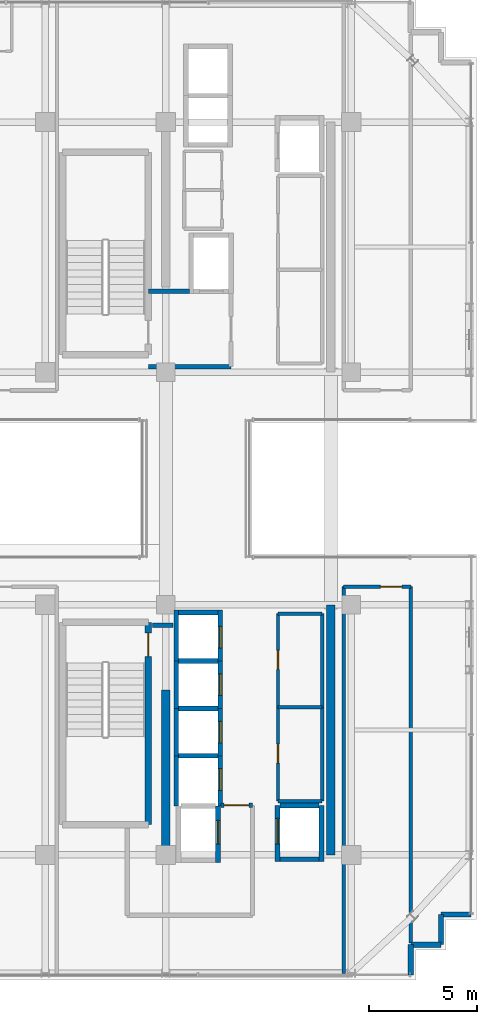
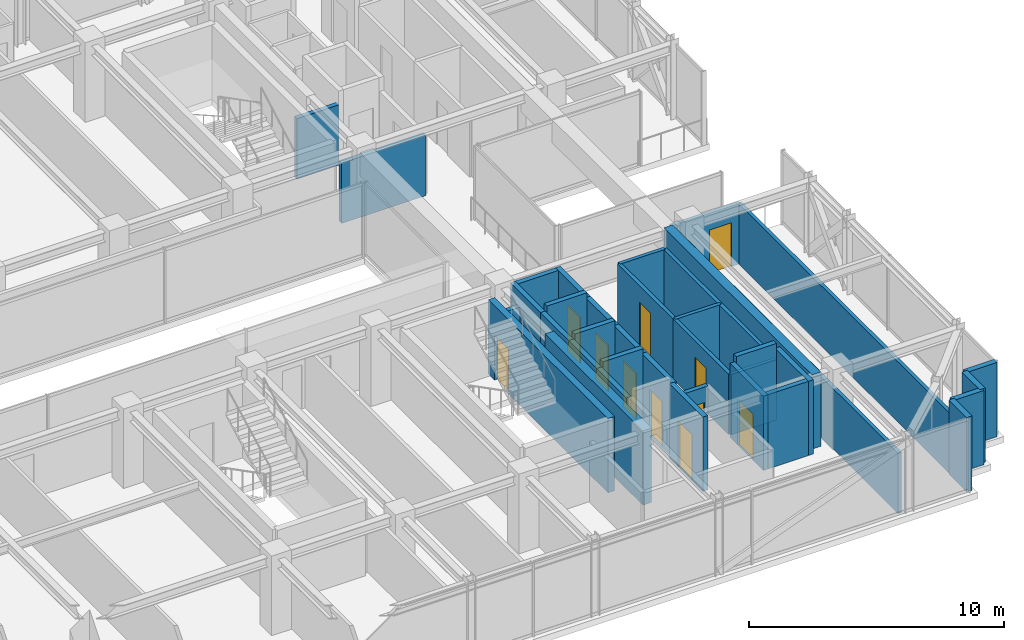
# One storey, part 34 of 40: 38 walls, 11 doors, 11 openings.
"""IFC4 building model written with IfcOpenShell, lengths in metres."""

from ifc_helpers import new_model, si_unit, direction, frame, frame_2d, origin, place, context, subcontext, project, spatial, rectangle, extrude, source, transform, mapped, material, layer, layer_set, type_object, element, fill, save


model = new_model("IFC4")

# Units and contexts
model_context = context("Model", 3, precision=1e-05, world=origin(), true_north=direction((0.0, 1.0)))
body_context = subcontext(model_context, "Body", "Model", "MODEL_VIEW")
ifc_project = project(units=[si_unit("LENGTHUNIT", "METRE"), si_unit("AREAUNIT", "SQUARE_METRE"), si_unit("VOLUMEUNIT", "CUBIC_METRE"), si_unit("PLANEANGLEUNIT", "RADIAN"), si_unit("MASSUNIT", "GRAM", prefix="KILO")], contexts=[model_context])

# Site, building, storey
site_placement = place(None, origin())
site = spatial("IfcSite", under=ifc_project, at=site_placement, CompositionType="ELEMENT")
building_placement = place(site_placement, origin())
building = spatial("IfcBuilding", under=site, at=building_placement, Name="Nahalor Promenade Grand Hotel", CompositionType="ELEMENT")
storey_placement = place(building_placement, frame((0.0, 0.0, 288.800048828125)))
storey = spatial("IfcBuildingStorey", under=building, at=storey_placement, Name="L74", CompositionType="ELEMENT", Elevation=288.800048828125)

# Walls
ifc_material_1 = material(Name="Concrete B-50 (C40/50)", Category="concrete")
ifc_layer_1 = layer(ifc_material_1, 0.39990234375)
ifc_layer_set_1 = layer_set([ifc_layer_1], Name="Concrete B-50 (C40/50)")
wall_type_1 = type_object("IfcWallType", Name="Wall-CoreShear-400", PredefinedType="SHEAR", material=ifc_layer_set_1)
shared_shape_1 = source(origin(), body_context, "Body", "SweptSolid", [
    extrude(rectangle(XDim=7.64990234375, YDim=0.39990234375, at=frame_2d((3.824951171875, 0.0))), origin(), (0.0, 0.0, 1.0), 3.550048828125),
])
wall_1_placement = place(storey_placement, frame((8.39990234375, -17.0, 0.0), z_axis=(0.0, 0.0, 1.0), x_axis=(0.0, 1.0, 0.0)))
element("IfcWall", 1, at=wall_1_placement, inside=storey, type_object=wall_type_1, Name="CWALL-L74-SW", PredefinedType="SHEAR", context=body_context, shape_type="MappedRepresentation", body=[
    mapped(shared_shape_1, transform((0.0, 0.0, 0.0), scale=1.0)),
])
shared_shape_2 = source(origin(), body_context, "Body", "SweptSolid", [
    extrude(rectangle(XDim=11.60009765625, YDim=0.39990234375, at=frame_2d((5.800048828125, 0.0))), origin(), (0.0, 0.0, 1.0), 3.550048828125),
])
wall_2_placement = place(storey_placement, frame((16.050048828125, -17.0, 0.0), z_axis=(0.0, 0.0, 1.0), x_axis=(0.0, 1.0, 0.0)))
element("IfcWall", 2, at=wall_2_placement, inside=storey, type_object=wall_type_1, Name="CWALL-L74-SE", PredefinedType="SHEAR", context=body_context, shape_type="MappedRepresentation", body=[
    mapped(shared_shape_2, transform((0.0, 0.0, 0.0), scale=1.0)),
])

# Wall, opening, door
ifc_layer_2 = layer(ifc_material_1, 0.300048828125)
ifc_layer_set_2 = layer_set([ifc_layer_2], Name="Concrete B-50 (C40/50)")
wall_type_2 = type_object("IfcWallType", Name="Wall-ShaftShear-300", PredefinedType="SHEAR", material=ifc_layer_set_2)
shared_shape_3 = source(origin(), body_context, "Body", "SweptSolid", [
    extrude(rectangle(XDim=9.380126953125, YDim=0.300048828125, at=frame_2d((4.68994140625, 0.0))), origin(), (0.0, 0.0, 1.0), 3.550048828125),
])
wall_3_placement = place(storey_placement, frame((7.590087890625, -15.590087890625, 0.0), z_axis=(0.0, 0.0, 1.0), x_axis=(0.0, 1.0, 0.0)))
wall_3 = element("IfcWall", 3, at=wall_3_placement, inside=storey, type_object=wall_type_2, Name="L74 Exit Stair ST2 Shaft Wall E", PredefinedType="SHEAR", context=body_context, shape_type="MappedRepresentation", body=[
    mapped(shared_shape_3, transform((0.0, 0.0, 0.0), scale=1.0)),
])
opening_1_placement = place(wall_3_placement, frame((7.7900390625, 0.0, 0.0)))
opening_1 = element("IfcOpeningElement", 4, at=opening_1_placement, cuts=wall_3, Name="Opening D-ST1", PredefinedType="OPENING", context=body_context, shape_type="SweptSolid", body=[
    extrude(rectangle(XDim=1.10009765625, YDim=2.14990234375, at=frame_2d((0.550048828125, 1.074951171875))), frame((0.0, 0.159912109375, 0.0), z_axis=(0.0, -1.0, 0.0), x_axis=(1.0, 0.0, 0.0)), (0.0, 0.0, 1.0), 0.320068359375),
])
ifc_material_2 = material(Name="Steel S355JR", Category="steel")
door_type_1 = type_object("IfcDoorType", Name="Door-StairFire-1100", OperationType="NOTDEFINED", PredefinedType="DOOR", material=ifc_material_2)
shared_shape_4 = source(origin(), body_context, "Body", "SweptSolid", [
    extrude(rectangle(XDim=1.10009765625, YDim=2.14990234375, at=frame_2d((0.550048828125, 1.074951171875))), frame((0.0, 0.02490234375, 0.0), z_axis=(0.0, -1.0, 0.0), x_axis=(1.0, 0.0, 0.0)), (0.0, 0.0, 1.0), 0.050048828125),
])
door_1_placement = place(opening_1_placement, origin())
door_1 = element("IfcDoor", 5, at=door_1_placement, inside=storey, type_object=door_type_1, Name="DR-STAIR-ST2-L74", OperationType="SINGLE_SWING_LEFT", OverallHeight=2.14990234375, OverallWidth=1.10009765625, PredefinedType="DOOR", context=body_context, shape_type="MappedRepresentation", body=[
    mapped(shared_shape_4, transform((0.0, 0.0, 0.0), scale=1.0)),
])
fill(opening_1, door_1)

# Wall
ifc_layer_3 = layer(ifc_material_1, 0.219970703125)
ifc_layer_set_3 = layer_set([ifc_layer_3], Name="Concrete B-50 (C40/50)")
wall_type_3 = type_object("IfcWallType", Name="Wall-LiftShaft-220", PredefinedType="SHEAR", material=ifc_layer_set_3)
shared_shape_5 = source(origin(), body_context, "Body", "SweptSolid", [
    extrude(rectangle(XDim=2.360107421875, YDim=0.219970703125, at=frame_2d((1.18017578125, 0.0))), origin(), (0.0, 0.0, 1.0), 3.550048828125),
])
wall_4_placement = place(storey_placement, frame((8.8798828125, -8.0, 0.0), z_axis=(0.0, 0.0, 1.0), x_axis=(0.0, 1.0, 0.0)))
element("IfcWall", 6, at=wall_4_placement, inside=storey, type_object=wall_type_3, Name="L74 Lift PL9 Hoistway Wall W", PredefinedType="SHEAR", context=body_context, shape_type="MappedRepresentation", body=[
    mapped(shared_shape_5, transform((0.0, 0.0, 0.0), scale=1.0)),
])

# Wall, opening, door
wall_5_placement = place(storey_placement, frame((10.919921875, -8.0, 0.0), z_axis=(0.0, 0.0, 1.0), x_axis=(0.0, 1.0, 0.0)))
wall_5 = element("IfcWall", 7, at=wall_5_placement, inside=storey, type_object=wall_type_3, Name="L74 Lift PL9 Hoistway Wall E", PredefinedType="SHEAR", context=body_context, shape_type="MappedRepresentation", body=[
    mapped(shared_shape_5, transform((0.0, 0.0, 0.0), scale=1.0)),
])
opening_2_placement = place(wall_5_placement, frame((0.60009765625, 0.0, 0.0)))
opening_2 = element("IfcOpeningElement", 8, at=opening_2_placement, cuts=wall_5, Name="Opening LD-01", PredefinedType="OPENING", context=body_context, shape_type="SweptSolid", body=[
    extrude(rectangle(XDim=1.0, YDim=2.199951171875, at=frame_2d((0.5, 1.10009765625))), frame((0.0, 0.119873046875, 0.0), z_axis=(0.0, -1.0, 0.0), x_axis=(1.0, 0.0, 0.0)), (0.0, 0.0, 1.0), 0.239990234375),
])
door_type_2 = type_object("IfcDoorType", Name="Door-LiftLanding-1000", OperationType="DOUBLE_DOOR_SLIDING", PredefinedType="DOOR", material=ifc_material_2)
shared_shape_6 = source(origin(), body_context, "Body", "SweptSolid", [
    extrude(rectangle(XDim=1.0, YDim=2.199951171875, at=frame_2d((0.5, 1.10009765625))), frame((0.0, 0.02490234375, 0.0), z_axis=(0.0, -1.0, 0.0), x_axis=(1.0, 0.0, 0.0)), (0.0, 0.0, 1.0), 0.050048828125),
])
door_2_placement = place(opening_2_placement, frame((1.0, 0.0, 0.0), z_axis=(0.0, 0.0, 1.0), x_axis=(-1.0, 0.0, 0.0)))
door_2 = element("IfcDoor", 9, at=door_2_placement, inside=storey, type_object=door_type_2, Name="DR-LIFT-PL9-L74", OperationType="DOUBLE_DOOR_SLIDING", OverallHeight=2.199951171875, OverallWidth=1.0, PredefinedType="DOOR", context=body_context, shape_type="MappedRepresentation", body=[
    mapped(shared_shape_6, transform((0.0, 0.0, 0.0), scale=1.0)),
])
fill(opening_2, door_2)

# Walls
shared_shape_7 = source(origin(), body_context, "Body", "SweptSolid", [
    extrude(rectangle(XDim=1.820068359375, YDim=0.219970703125, at=frame_2d((0.91015625, 0.0))), origin(), (0.0, 0.0, 1.0), 3.550048828125),
])
for number, where, z_axis, x_axis, name in (
    (10, (8.989990234375, -5.75, 0.0), (0.0, 0.0, 1.0), (1.0, 0.0, 0.0), "L74 Lift PL9 Hoistway Wall N"),
    (11, (13.68994140625, -17.199951171875, 0.0), (0.0, 0.0, 1.0), (1.0, 0.0, 0.0), "L74 Lift SV2 Hoistway Wall S"),
):
    element("IfcWall", number, at=place(storey_placement, frame(where, z_axis=z_axis, x_axis=x_axis)), inside=storey, type_object=wall_type_3, Name=name, PredefinedType="SHEAR", context=body_context, shape_type="MappedRepresentation", body=[
        mapped(shared_shape_7, transform((0.0, 0.0, 0.0), scale=1.0)),
    ])
shared_shape_8 = source(origin(), body_context, "Body", "SweptSolid", [
    extrude(rectangle(XDim=2.199951171875, YDim=0.219970703125, at=frame_2d((1.10009765625, 0.0))), origin(), (0.0, 0.0, 1.0), 3.550048828125),
])
wall_6_placement = place(storey_placement, frame((8.8798828125, -10.199951171875, 0.0), z_axis=(0.0, 0.0, 1.0), x_axis=(0.0, 1.0, 0.0)))
element("IfcWall", 12, at=wall_6_placement, inside=storey, type_object=wall_type_3, Name="L74 Lift PL10 Hoistway Wall W", PredefinedType="SHEAR", context=body_context, shape_type="MappedRepresentation", body=[
    mapped(shared_shape_8, transform((0.0, 0.0, 0.0), scale=1.0)),
])

# Wall, opening, door
wall_7_placement = place(storey_placement, frame((10.919921875, -10.199951171875, 0.0), z_axis=(0.0, 0.0, 1.0), x_axis=(0.0, 1.0, 0.0)))
wall_7 = element("IfcWall", 13, at=wall_7_placement, inside=storey, type_object=wall_type_3, Name="L74 Lift PL10 Hoistway Wall E", PredefinedType="SHEAR", context=body_context, shape_type="MappedRepresentation", body=[
    mapped(shared_shape_8, transform((0.0, 0.0, 0.0), scale=1.0)),
])
opening_3_placement = place(wall_7_placement, frame((0.60009765625, 0.0, 0.0)))
opening_3 = element("IfcOpeningElement", 14, at=opening_3_placement, cuts=wall_7, Name="Opening LD-01", PredefinedType="OPENING", context=body_context, shape_type="SweptSolid", body=[
    extrude(rectangle(XDim=1.0, YDim=2.199951171875, at=frame_2d((0.5, 1.10009765625))), frame((0.0, 0.119873046875, 0.0), z_axis=(0.0, -1.0, 0.0), x_axis=(1.0, 0.0, 0.0)), (0.0, 0.0, 1.0), 0.239990234375),
])
door_3_placement = place(opening_3_placement, frame((1.0, 0.0, 0.0), z_axis=(0.0, 0.0, 1.0), x_axis=(-1.0, 0.0, 0.0)))
door_3 = element("IfcDoor", 15, at=door_3_placement, inside=storey, type_object=door_type_2, Name="DR-LIFT-PL10-L74", OperationType="DOUBLE_DOOR_SLIDING", OverallHeight=2.199951171875, OverallWidth=1.0, PredefinedType="DOOR", context=body_context, shape_type="MappedRepresentation", body=[
    mapped(shared_shape_6, transform((0.0, 0.0, 0.0), scale=1.0)),
])
fill(opening_3, door_3)

# Wall
wall_8_placement = place(storey_placement, frame((8.8798828125, -12.39990234375, 0.0), z_axis=(0.0, 0.0, 1.0), x_axis=(0.0, 1.0, 0.0)))
element("IfcWall", 16, at=wall_8_placement, inside=storey, type_object=wall_type_3, Name="L74 Lift PL11 Hoistway Wall W", PredefinedType="SHEAR", context=body_context, shape_type="MappedRepresentation", body=[
    mapped(shared_shape_8, transform((0.0, 0.0, 0.0), scale=1.0)),
])

# Wall, opening, door
wall_9_placement = place(storey_placement, frame((10.919921875, -12.39990234375, 0.0), z_axis=(0.0, 0.0, 1.0), x_axis=(0.0, 1.0, 0.0)))
wall_9 = element("IfcWall", 17, at=wall_9_placement, inside=storey, type_object=wall_type_3, Name="L74 Lift PL11 Hoistway Wall E", PredefinedType="SHEAR", context=body_context, shape_type="MappedRepresentation", body=[
    mapped(shared_shape_8, transform((0.0, 0.0, 0.0), scale=1.0)),
])
opening_4_placement = place(wall_9_placement, frame((0.60009765625, 0.0, 0.0)))
opening_4 = element("IfcOpeningElement", 18, at=opening_4_placement, cuts=wall_9, Name="Opening LD-01", PredefinedType="OPENING", context=body_context, shape_type="SweptSolid", body=[
    extrude(rectangle(XDim=1.0, YDim=2.199951171875, at=frame_2d((0.5, 1.10009765625))), frame((0.0, 0.119873046875, 0.0), z_axis=(0.0, -1.0, 0.0), x_axis=(1.0, 0.0, 0.0)), (0.0, 0.0, 1.0), 0.239990234375),
])
door_4_placement = place(opening_4_placement, frame((1.0, 0.0, 0.0), z_axis=(0.0, 0.0, 1.0), x_axis=(-1.0, 0.0, 0.0)))
door_4 = element("IfcDoor", 19, at=door_4_placement, inside=storey, type_object=door_type_2, Name="DR-LIFT-PL11-L74", OperationType="DOUBLE_DOOR_SLIDING", OverallHeight=2.199951171875, OverallWidth=1.0, PredefinedType="DOOR", context=body_context, shape_type="MappedRepresentation", body=[
    mapped(shared_shape_6, transform((0.0, 0.0, 0.0), scale=1.0)),
])
fill(opening_4, door_4)

# Walls
shared_shape_9 = source(origin(), body_context, "Body", "SweptSolid", [
    extrude(rectangle(XDim=1.820068359375, YDim=0.219970703125, at=frame_2d((0.91015625, 0.0))), origin(), (0.0, 0.0, 1.0), 3.849853515625),
])
for number, where, z_axis, x_axis, name in (
    (20, (8.989990234375, -8.0, 0.0), (0.0, 0.0, 1.0), (1.0, 0.0, 0.0), "L74 Lift PL10 Hoistway Wall N"),
    (21, (8.989990234375, -10.199951171875, 0.0), (0.0, 0.0, 1.0), (1.0, 0.0, 0.0), "L74 Lift PL11 Hoistway Wall N"),
    (22, (8.989990234375, -12.39990234375, 0.0), (0.0, 0.0, 1.0), (1.0, 0.0, 0.0), "L74 Lift PL12 Hoistway Wall N"),
    (23, (13.68994140625, -14.699951171875, 0.0), (0.0, 0.0, 1.0), (1.0, 0.0, 0.0), "L74 Lift SV2 Hoistway Wall N"),
):
    element("IfcWall", number, at=place(storey_placement, frame(where, z_axis=z_axis, x_axis=x_axis)), inside=storey, type_object=wall_type_3, Name=name, PredefinedType="SHEAR", context=body_context, shape_type="MappedRepresentation", body=[
        mapped(shared_shape_9, transform((0.0, 0.0, 0.0), scale=1.0)),
    ])
shared_shape_10 = source(origin(), body_context, "Body", "SweptSolid", [
    extrude(rectangle(XDim=2.3251953125, YDim=0.219970703125, at=frame_2d((1.16259765625, 0.0))), origin(), (0.0, 0.0, 1.0), 3.550048828125),
])
wall_10_placement = place(storey_placement, frame((8.8798828125, -14.72509765625, 0.0), z_axis=(0.0, 0.0, 1.0), x_axis=(0.0, 1.0, 0.0)))
element("IfcWall", 24, at=wall_10_placement, inside=storey, type_object=wall_type_3, Name="L74 Lift PL12 Hoistway Wall W", PredefinedType="SHEAR", context=body_context, shape_type="MappedRepresentation", body=[
    mapped(shared_shape_10, transform((0.0, 0.0, 0.0), scale=1.0)),
])

# Wall, opening, door
wall_11_placement = place(storey_placement, frame((10.919921875, -14.72509765625, 0.0), z_axis=(0.0, 0.0, 1.0), x_axis=(0.0, 1.0, 0.0)))
wall_11 = element("IfcWall", 25, at=wall_11_placement, inside=storey, type_object=wall_type_3, Name="L74 Lift PL12 Hoistway Wall E", PredefinedType="SHEAR", context=body_context, shape_type="MappedRepresentation", body=[
    mapped(shared_shape_10, transform((0.0, 0.0, 0.0), scale=1.0)),
])
opening_5_placement = place(wall_11_placement, frame((0.72509765625, 0.0, 0.0)))
opening_5 = element("IfcOpeningElement", 26, at=opening_5_placement, cuts=wall_11, Name="Opening LD-01", PredefinedType="OPENING", context=body_context, shape_type="SweptSolid", body=[
    extrude(rectangle(XDim=1.0, YDim=2.199951171875, at=frame_2d((0.5, 1.10009765625))), frame((0.0, 0.119873046875, 0.0), z_axis=(0.0, -1.0, 0.0), x_axis=(1.0, 0.0, 0.0)), (0.0, 0.0, 1.0), 0.239990234375),
])
door_5_placement = place(opening_5_placement, frame((1.0, 0.0, 0.0), z_axis=(0.0, 0.0, 1.0), x_axis=(-1.0, 0.0, 0.0)))
door_5 = element("IfcDoor", 27, at=door_5_placement, inside=storey, type_object=door_type_2, Name="DR-LIFT-PL12-L74", OperationType="DOUBLE_DOOR_SLIDING", OverallHeight=2.199951171875, OverallWidth=1.0, PredefinedType="DOOR", context=body_context, shape_type="MappedRepresentation", body=[
    mapped(shared_shape_6, transform((0.0, 0.0, 0.0), scale=1.0)),
])
fill(opening_5, door_5)

shared_shape_11 = source(origin(), body_context, "Body", "SweptSolid", [
    extrude(rectangle(XDim=2.635009765625, YDim=0.219970703125, at=frame_2d((1.3173828125, 0.0))), origin(), (0.0, 0.0, 1.0), 3.550048828125),
])
wall_12_placement = place(storey_placement, frame((10.820068359375, -17.360107421875, 0.0), z_axis=(0.0, 0.0, 1.0), x_axis=(0.0, 1.0, 0.0)))
wall_12 = element("IfcWall", 28, at=wall_12_placement, inside=storey, type_object=wall_type_3, Name="L74 Lift FL2 Hoistway Wall E", PredefinedType="SHEAR", context=body_context, shape_type="MappedRepresentation", body=[
    mapped(shared_shape_11, transform((0.0, 0.0, 0.0), scale=1.0)),
])
opening_6_placement = place(wall_12_placement, frame((0.860107421875, 0.0, 0.0)))
opening_6 = element("IfcOpeningElement", 29, at=opening_6_placement, cuts=wall_12, Name="Opening LD-02", PredefinedType="OPENING", context=body_context, shape_type="SweptSolid", body=[
    extrude(rectangle(XDim=1.10009765625, YDim=2.199951171875, at=frame_2d((0.550048828125, 1.10009765625))), frame((0.0, 0.119873046875, 0.0), z_axis=(0.0, -1.0, 0.0), x_axis=(1.0, 0.0, 0.0)), (0.0, 0.0, 1.0), 0.239990234375),
])
door_type_3 = type_object("IfcDoorType", Name="Door-LiftFF-1100", OperationType="DOUBLE_DOOR_SLIDING", PredefinedType="DOOR", material=ifc_material_2)
shared_shape_12 = source(origin(), body_context, "Body", "SweptSolid", [
    extrude(rectangle(XDim=1.10009765625, YDim=2.199951171875, at=frame_2d((0.550048828125, 1.10009765625))), frame((0.0, 0.02490234375, 0.0), z_axis=(0.0, -1.0, 0.0), x_axis=(1.0, 0.0, 0.0)), (0.0, 0.0, 1.0), 0.050048828125),
])
door_6_placement = place(opening_6_placement, frame((1.10009765625, 0.0, 0.0), z_axis=(0.0, 0.0, 1.0), x_axis=(-1.0, 0.0, 0.0)))
door_6 = element("IfcDoor", 30, at=door_6_placement, inside=storey, type_object=door_type_3, Name="DR-LIFT-FL2-L74", OperationType="DOUBLE_DOOR_SLIDING", OverallHeight=2.199951171875, OverallWidth=1.10009765625, PredefinedType="DOOR", context=body_context, shape_type="MappedRepresentation", body=[
    mapped(shared_shape_12, transform((0.0, 0.0, 0.0), scale=1.0)),
])
fill(opening_6, door_6)

shared_shape_13 = source(origin(), body_context, "Body", "SweptSolid", [
    extrude(rectangle(XDim=2.610107421875, YDim=0.219970703125, at=frame_2d((1.30517578125, 0.0))), origin(), (0.0, 0.0, 1.0), 3.550048828125),
])
wall_13_placement = place(storey_placement, frame((13.580078125, -17.31005859375, 0.0), z_axis=(0.0, 0.0, 1.0), x_axis=(0.0, 1.0, 0.0)))
wall_13 = element("IfcWall", 31, at=wall_13_placement, inside=storey, type_object=wall_type_3, Name="L74 Lift SV2 Hoistway Wall W", PredefinedType="SHEAR", context=body_context, shape_type="MappedRepresentation", body=[
    mapped(shared_shape_13, transform((0.0, 0.0, 0.0), scale=1.0)),
])
opening_7_placement = place(wall_13_placement, frame((0.81005859375, 0.0, 0.0)))
opening_7 = element("IfcOpeningElement", 32, at=opening_7_placement, cuts=wall_13, Name="Opening LD-03", PredefinedType="OPENING", context=body_context, shape_type="SweptSolid", body=[
    extrude(rectangle(XDim=1.199951171875, YDim=2.199951171875, at=frame_2d((0.60009765625, 1.10009765625))), frame((0.0, 0.119873046875, 0.0), z_axis=(0.0, -1.0, 0.0), x_axis=(1.0, 0.0, 0.0)), (0.0, 0.0, 1.0), 0.239990234375),
])
door_type_4 = type_object("IfcDoorType", Name="Door-LiftService-1200", OperationType="DOUBLE_DOOR_SLIDING", PredefinedType="DOOR", material=ifc_material_2)
shared_shape_14 = source(origin(), body_context, "Body", "SweptSolid", [
    extrude(rectangle(XDim=1.199951171875, YDim=2.199951171875, at=frame_2d((0.60009765625, 1.10009765625))), frame((0.0, 0.02490234375, 0.0), z_axis=(0.0, -1.0, 0.0), x_axis=(1.0, 0.0, 0.0)), (0.0, 0.0, 1.0), 0.050048828125),
])
door_7_placement = place(opening_7_placement, origin())
door_7 = element("IfcDoor", 33, at=door_7_placement, inside=storey, type_object=door_type_4, Name="DR-LIFT-SV2-L74", OperationType="DOUBLE_DOOR_SLIDING", OverallHeight=2.199951171875, OverallWidth=1.199951171875, PredefinedType="DOOR", context=body_context, shape_type="MappedRepresentation", body=[
    mapped(shared_shape_14, transform((0.0, 0.0, 0.0), scale=1.0)),
])
fill(opening_7, door_7)

# Walls
wall_14_placement = place(storey_placement, frame((15.6201171875, -17.31005859375, 0.0), z_axis=(0.0, 0.0, 1.0), x_axis=(0.0, 1.0, 0.0)))
element("IfcWall", 34, at=wall_14_placement, inside=storey, type_object=wall_type_3, Name="L74 Lift SV2 Hoistway Wall E", PredefinedType="SHEAR", context=body_context, shape_type="MappedRepresentation", body=[
    mapped(shared_shape_13, transform((0.0, 0.0, 0.0), scale=1.0)),
])
ifc_material_3 = material(Name="Concrete B-40 (C32/40)", Category="concrete")
ifc_layer_4 = layer(ifc_material_3, 0.25)
ifc_layer_set_4 = layer_set([ifc_layer_4], Name="Concrete B-40 (C32/40)")
wall_type_4 = type_object("IfcWallType", Name="Wall-BronzePier-250", PredefinedType="STANDARD", material=ifc_layer_set_4)
shared_shape_15 = source(origin(), body_context, "Body", "SweptSolid", [
    extrude(rectangle(XDim=1.400146484375, YDim=0.25, at=frame_2d((0.7001953125, 0.0))), origin(), (0.0, 0.0, 1.0), 3.550048828125),
])
for number, where, z_axis, x_axis, name in (
    (35, (19.760009765625, -22.56005859375, 0.0), (0.0, 0.0, 1.0), (0.0, 1.0, 0.0), "W-L74-SR-01"),
    (36, (21.159912109375, -19.760009765625, 0.0), (0.0, 0.0, 1.0), (1.0, 0.0, 0.0), "W-L74-SR-04"),
):
    element("IfcWall", number, at=place(storey_placement, frame(where, z_axis=z_axis, x_axis=x_axis)), inside=storey, type_object=wall_type_4, Name=name, PredefinedType="STANDARD", context=body_context, shape_type="MappedRepresentation", body=[
        mapped(shared_shape_15, transform((0.0, 0.0, 0.0), scale=1.0)),
    ])
shared_shape_16 = source(origin(), body_context, "Body", "SweptSolid", [
    extrude(rectangle(XDim=1.39990234375, YDim=0.25, at=frame_2d((0.699951171875, 0.0))), origin(), (0.0, 0.0, 1.0), 3.550048828125),
])
for number, where, z_axis, x_axis, name in (
    (37, (19.760009765625, -21.159912109375, 0.0), (0.0, 0.0, 1.0), (1.0, 0.0, 0.0), "W-L74-SR-02"),
    (38, (21.159912109375, -21.159912109375, 0.0), (0.0, 0.0, 1.0), (0.0, 1.0, 0.0), "W-L74-SR-03"),
):
    element("IfcWall", number, at=place(storey_placement, frame(where, z_axis=z_axis, x_axis=x_axis)), inside=storey, type_object=wall_type_4, Name=name, PredefinedType="STANDARD", context=body_context, shape_type="MappedRepresentation", body=[
        mapped(shared_shape_16, transform((0.0, 0.0, 0.0), scale=1.0)),
    ])
ifc_layer_5 = layer(ifc_material_3, 0.199951171875)
ifc_layer_set_5 = layer_set([ifc_layer_5], Name="Concrete B-40 (C32/40)")
wall_type_5 = type_object("IfcWallType", Name="Wall-PartFire-200", PredefinedType="PARTITIONING", material=ifc_layer_set_5)
shared_shape_17 = source(origin(), body_context, "Body", "SweptSolid", [
    extrude(rectangle(XDim=3.81982421875, YDim=0.199951171875, at=frame_2d((1.909912109375, 0.0))), origin(), (0.0, 0.0, 1.0), 2.889892578125),
])
wall_15_placement = place(storey_placement, frame((7.60009765625, 5.64990234375, 0.0), z_axis=(0.0, 0.0, 1.0), x_axis=(1.0, 0.0, 0.0)))
element("IfcWall", 39, at=wall_15_placement, inside=storey, type_object=wall_type_5, Name="W-L74-FF1-S", PredefinedType="PARTITIONING", context=body_context, shape_type="MappedRepresentation", body=[
    mapped(shared_shape_17, transform((0.0, 0.0, 0.0), scale=1.0)),
])
shared_shape_18 = source(origin(), body_context, "Body", "SweptSolid", [
    extrude(rectangle(XDim=1.89990234375, YDim=0.199951171875, at=frame_2d((0.949951171875, 0.0))), origin(), (0.0, 0.0, 1.0), 2.889892578125),
])
wall_16_placement = place(storey_placement, frame((7.60009765625, 9.14990234375, 0.0), z_axis=(0.0, 0.0, 1.0), x_axis=(1.0, 0.0, 0.0)))
element("IfcWall", 40, at=wall_16_placement, inside=storey, type_object=wall_type_5, Name="W-L74-FF1-N", PredefinedType="PARTITIONING", context=body_context, shape_type="MappedRepresentation", body=[
    mapped(shared_shape_18, transform((0.0, 0.0, 0.0), scale=1.0)),
])

# Wall, opening, door
shared_shape_19 = source(origin(), body_context, "Body", "SweptSolid", [
    extrude(rectangle(XDim=1.4599609375, YDim=0.199951171875, at=frame_2d((0.72998046875, 0.0))), origin(), (0.0, 0.0, 1.0), 2.889892578125),
])
wall_17_placement = place(storey_placement, frame((10.9599609375, -14.699951171875, 0.0), z_axis=(0.0, 0.0, 1.0), x_axis=(1.0, 0.0, 0.0)))
wall_17 = element("IfcWall", 41, at=wall_17_placement, inside=storey, type_object=wall_type_5, Name="W-L74-FF2-N1", PredefinedType="PARTITIONING", context=body_context, shape_type="MappedRepresentation", body=[
    mapped(shared_shape_19, transform((0.0, 0.0, 0.0), scale=1.0)),
])
opening_8_placement = place(wall_17_placement, frame((0.14501953125, 0.0, 0.0)))
opening_8 = element("IfcOpeningElement", 42, at=opening_8_placement, cuts=wall_17, Name="Opening D-FF1", PredefinedType="OPENING", context=body_context, shape_type="SweptSolid", body=[
    extrude(rectangle(XDim=1.14990234375, YDim=2.14990234375, at=frame_2d((0.574951171875, 1.074951171875))), frame((0.0, 0.10986328125, 0.0), z_axis=(0.0, -1.0, 0.0), x_axis=(1.0, 0.0, 0.0)), (0.0, 0.0, 1.0), 0.219970703125),
])
door_type_5 = type_object("IfcDoorType", Name="Door-FFLobby-1150", OperationType="NOTDEFINED", PredefinedType="DOOR", material=ifc_material_2)
shared_shape_20 = source(origin(), body_context, "Body", "SweptSolid", [
    extrude(rectangle(XDim=1.14990234375, YDim=2.14990234375, at=frame_2d((0.574951171875, 1.074951171875))), frame((0.0, 0.02490234375, 0.0), z_axis=(0.0, -1.0, 0.0), x_axis=(1.0, 0.0, 0.0)), (0.0, 0.0, 1.0), 0.050048828125),
])
door_8_placement = place(opening_8_placement, origin())
door_8 = element("IfcDoor", 43, at=door_8_placement, inside=storey, type_object=door_type_5, Name="DR-L74-FFL2", OperationType="SINGLE_SWING_RIGHT", OverallHeight=2.14990234375, OverallWidth=1.14990234375, PredefinedType="DOOR", context=body_context, shape_type="MappedRepresentation", body=[
    mapped(shared_shape_20, transform((0.0, 0.0, 0.0), scale=1.0)),
])
fill(opening_8, door_8)

# Walls
shared_shape_21 = source(origin(), body_context, "Body", "SweptSolid", [
    extrude(rectangle(XDim=0.969970703125, YDim=0.199951171875, at=frame_2d((0.48486328125, 0.0))), origin(), (0.0, 0.0, 1.0), 2.889892578125),
])
wall_18_placement = place(storey_placement, frame((7.77001953125, -6.35009765625, 0.0), z_axis=(0.0, 0.0, 1.0), x_axis=(1.0, 0.0, 0.0)))
element("IfcWall", 44, at=wall_18_placement, inside=storey, type_object=wall_type_5, Name="W-L74-FF2-N2", PredefinedType="PARTITIONING", context=body_context, shape_type="MappedRepresentation", body=[
    mapped(shared_shape_21, transform((0.0, 0.0, 0.0), scale=1.0)),
])
ifc_material_4 = material(Name="Acoustic Mineral Gypsum", Category="gypsum")
ifc_layer_6 = layer(ifc_material_4, 0.159912109375)
ifc_layer_set_6 = layer_set([ifc_layer_6], Name="Acoustic Mineral Gypsum")
wall_type_6 = type_object("IfcWallType", Name="Wall-PartCorridor-160", PredefinedType="PARTITIONING", material=ifc_layer_set_6)
shared_shape_22 = source(origin(), body_context, "Body", "SweptSolid", [
    extrude(rectangle(XDim=2.0498046875, YDim=0.159912109375, at=frame_2d((1.02490234375, 0.0))), origin(), (0.0, 0.0, 1.0), 2.889892578125),
])
for number, where, z_axis, x_axis, name in (
    (45, (13.60009765625, -14.5, 0.0), (0.0, 0.0, 1.0), (1.0, 0.0, 0.0), "W-L74-FRB2A-S"),
    (46, (13.60009765625, -10.14990234375, 0.0), (0.0, 0.0, 1.0), (1.0, 0.0, 0.0), "W-L74-FRB2A-N"),
    (47, (13.60009765625, -5.800048828125, 0.0), (0.0, 0.0, 1.0), (1.0, 0.0, 0.0), "W-L74-FRB2B-N"),
):
    element("IfcWall", number, at=place(storey_placement, frame(where, z_axis=z_axis, x_axis=x_axis)), inside=storey, type_object=wall_type_6, Name=name, PredefinedType="PARTITIONING", context=body_context, shape_type="MappedRepresentation", body=[
        mapped(shared_shape_22, transform((0.0, 0.0, 0.0), scale=1.0)),
    ])

# Wall, opening, door
shared_shape_23 = source(origin(), body_context, "Body", "SweptSolid", [
    extrude(rectangle(XDim=4.349853515625, YDim=0.159912109375, at=frame_2d((2.1748046875, 0.0))), origin(), (0.0, 0.0, 1.0), 2.889892578125),
])
wall_19_placement = place(storey_placement, frame((13.60009765625, -10.14990234375, 0.0), z_axis=(0.0, 0.0, 1.0), x_axis=(0.0, 1.0, 0.0)))
wall_19 = element("IfcWall", 48, at=wall_19_placement, inside=storey, type_object=wall_type_6, Name="W-L74-FRB2B-W", PredefinedType="PARTITIONING", context=body_context, shape_type="MappedRepresentation", body=[
    mapped(shared_shape_23, transform((0.0, 0.0, 0.0), scale=1.0)),
])
opening_9_placement = place(wall_19_placement, frame((1.760009765625, 0.0, 0.0)))
opening_9 = element("IfcOpeningElement", 49, at=opening_9_placement, cuts=wall_19, Name="Opening D-03", PredefinedType="OPENING", context=body_context, shape_type="SweptSolid", body=[
    extrude(rectangle(XDim=0.8798828125, YDim=2.10009765625, at=frame_2d((0.43994140625, 1.050048828125))), frame((0.0, 0.08984375, 0.0), z_axis=(0.0, -1.0, 0.0), x_axis=(1.0, 0.0, 0.0)), (0.0, 0.0, 1.0), 0.179931640625),
])
ifc_material_5 = material(Name="Fire-Rated Timber Composite", Category="wood")
door_type_6 = type_object("IfcDoorType", Name="Door-BathSwing-880", OperationType="NOTDEFINED", PredefinedType="DOOR", material=ifc_material_5)
shared_shape_24 = source(origin(), body_context, "Body", "SweptSolid", [
    extrude(rectangle(XDim=0.8798828125, YDim=2.10009765625, at=frame_2d((0.43994140625, 1.050048828125))), frame((0.0, 0.02490234375, 0.0), z_axis=(0.0, -1.0, 0.0), x_axis=(1.0, 0.0, 0.0)), (0.0, 0.0, 1.0), 0.050048828125),
])
door_9_placement = place(opening_9_placement, frame((0.8798828125, 0.0, 0.0), z_axis=(0.0, 0.0, 1.0), x_axis=(-1.0, 0.0, 0.0)))
door_9 = element("IfcDoor", 50, at=door_9_placement, inside=storey, type_object=door_type_6, Name="DR-L74-FRB2B", OperationType="SINGLE_SWING_RIGHT", OverallHeight=2.10009765625, OverallWidth=0.8798828125, PredefinedType="DOOR", context=body_context, shape_type="MappedRepresentation", body=[
    mapped(shared_shape_24, transform((0.0, 0.0, 0.0), scale=1.0)),
])
fill(opening_9, door_9)

# Wall
wall_20_placement = place(storey_placement, frame((15.64990234375, -10.14990234375, 0.0), z_axis=(0.0, 0.0, 1.0), x_axis=(0.0, 1.0, 0.0)))
element("IfcWall", 51, at=wall_20_placement, inside=storey, type_object=wall_type_6, Name="W-L74-FRB2B-E", PredefinedType="PARTITIONING", context=body_context, shape_type="MappedRepresentation", body=[
    mapped(shared_shape_23, transform((0.0, 0.0, 0.0), scale=1.0)),
])

# Wall, opening, door
shared_shape_25 = source(origin(), body_context, "Body", "SweptSolid", [
    extrude(rectangle(XDim=4.35009765625, YDim=0.159912109375, at=frame_2d((2.175048828125, 0.0))), origin(), (0.0, 0.0, 1.0), 2.889892578125),
])
wall_21_placement = place(storey_placement, frame((13.60009765625, -14.5, 0.0), z_axis=(0.0, 0.0, 1.0), x_axis=(0.0, 1.0, 0.0)))
wall_21 = element("IfcWall", 52, at=wall_21_placement, inside=storey, type_object=wall_type_6, Name="W-L74-FRB2A-W", PredefinedType="PARTITIONING", context=body_context, shape_type="MappedRepresentation", body=[
    mapped(shared_shape_25, transform((0.0, 0.0, 0.0), scale=1.0)),
])
opening_10_placement = place(wall_21_placement, frame((1.760009765625, 0.0, 0.0)))
opening_10 = element("IfcOpeningElement", 53, at=opening_10_placement, cuts=wall_21, Name="Opening D-03", PredefinedType="OPENING", context=body_context, shape_type="SweptSolid", body=[
    extrude(rectangle(XDim=0.8798828125, YDim=2.10009765625, at=frame_2d((0.43994140625, 1.050048828125))), frame((0.0, 0.08984375, 0.0), z_axis=(0.0, -1.0, 0.0), x_axis=(1.0, 0.0, 0.0)), (0.0, 0.0, 1.0), 0.179931640625),
])
door_10_placement = place(opening_10_placement, frame((0.8798828125, 0.0, 0.0), z_axis=(0.0, 0.0, 1.0), x_axis=(-1.0, 0.0, 0.0)))
door_10 = element("IfcDoor", 54, at=door_10_placement, inside=storey, type_object=door_type_6, Name="DR-L74-FRB2A", OperationType="SINGLE_SWING_LEFT", OverallHeight=2.10009765625, OverallWidth=0.8798828125, PredefinedType="DOOR", context=body_context, shape_type="MappedRepresentation", body=[
    mapped(shared_shape_24, transform((0.0, 0.0, 0.0), scale=1.0)),
])
fill(opening_10, door_10)

# Wall
wall_22_placement = place(storey_placement, frame((15.64990234375, -14.5, 0.0), z_axis=(0.0, 0.0, 1.0), x_axis=(0.0, 1.0, 0.0)))
element("IfcWall", 55, at=wall_22_placement, inside=storey, type_object=wall_type_6, Name="W-L74-FRB2A-E", PredefinedType="PARTITIONING", context=body_context, shape_type="MappedRepresentation", body=[
    mapped(shared_shape_25, transform((0.0, 0.0, 0.0), scale=1.0)),
])

# Wall, opening, door
shared_shape_26 = source(origin(), body_context, "Body", "SweptSolid", [
    extrude(rectangle(XDim=3.110107421875, YDim=0.159912109375, at=frame_2d((1.55517578125, 0.0))), origin(), (0.0, 0.0, 1.0), 2.889892578125),
])
wall_23_placement = place(storey_placement, frame((16.64990234375, -4.550048828125, 0.0), z_axis=(0.0, 0.0, 1.0), x_axis=(1.0, 0.0, 0.0)))
wall_23 = element("IfcWall", 56, at=wall_23_placement, inside=storey, type_object=wall_type_6, Name="W-L74-ESE-N", PredefinedType="PARTITIONING", context=body_context, shape_type="MappedRepresentation", body=[
    mapped(shared_shape_26, transform((0.0, 0.0, 0.0), scale=1.0)),
])
opening_11_placement = place(wall_23_placement, frame((1.700927734375, 0.0, 0.0)))
opening_11 = element("IfcOpeningElement", 57, at=opening_11_placement, cuts=wall_23, Name="Opening D-04", PredefinedType="OPENING", context=body_context, shape_type="SweptSolid", body=[
    extrude(rectangle(XDim=1.0, YDim=2.10009765625, at=frame_2d((0.5, 1.050048828125))), frame((0.0, 0.08984375, 0.0), z_axis=(0.0, -1.0, 0.0), x_axis=(1.0, 0.0, 0.0)), (0.0, 0.0, 1.0), 0.179931640625),
])
door_type_7 = type_object("IfcDoorType", Name="Door-ServiceFire-1000", OperationType="NOTDEFINED", PredefinedType="DOOR", material=ifc_material_2)
shared_shape_27 = source(origin(), body_context, "Body", "SweptSolid", [
    extrude(rectangle(XDim=1.0, YDim=2.10009765625, at=frame_2d((0.5, 1.050048828125))), frame((0.0, 0.02490234375, 0.0), z_axis=(0.0, -1.0, 0.0), x_axis=(1.0, 0.0, 0.0)), (0.0, 0.0, 1.0), 0.050048828125),
])
door_11_placement = place(opening_11_placement, frame((1.0, 0.0, 0.0), z_axis=(0.0, 0.0, 1.0), x_axis=(-1.0, 0.0, 0.0)))
door_11 = element("IfcDoor", 58, at=door_11_placement, inside=storey, type_object=door_type_7, Name="DR-L74-ESE", OperationType="SINGLE_SWING_RIGHT", OverallHeight=2.10009765625, OverallWidth=1.0, PredefinedType="DOOR", context=body_context, shape_type="MappedRepresentation", body=[
    mapped(shared_shape_27, transform((0.0, 0.0, 0.0), scale=1.0)),
])
fill(opening_11, door_11)

# Walls
shared_shape_28 = source(origin(), body_context, "Body", "SweptSolid", [
    extrude(rectangle(XDim=17.949951171875, YDim=0.159912109375, at=frame_2d((8.97509765625, 0.0))), origin(), (0.0, 0.0, 1.0), 2.889892578125),
])
wall_24_placement = place(storey_placement, frame((16.64990234375, -22.5, 0.0), z_axis=(0.0, 0.0, 1.0), x_axis=(0.0, 1.0, 0.0)))
element("IfcWall", 59, at=wall_24_placement, inside=storey, type_object=wall_type_6, Name="W-L74-ESE-W", PredefinedType="PARTITIONING", context=body_context, shape_type="MappedRepresentation", body=[
    mapped(shared_shape_28, transform((0.0, 0.0, 0.0), scale=1.0)),
])
shared_shape_29 = source(origin(), body_context, "Body", "SweptSolid", [
    extrude(rectangle(XDim=16.530029296875, YDim=0.159912109375, at=frame_2d((8.26513671875, 0.0))), origin(), (0.0, 0.0, 1.0), 2.889892578125),
])
wall_25_placement = place(storey_placement, frame((19.760009765625, -21.080078125, 0.0), z_axis=(0.0, 0.0, 1.0), x_axis=(0.0, 1.0, 0.0)))
element("IfcWall", 60, at=wall_25_placement, inside=storey, type_object=wall_type_6, Name="W-L74-ESE-E", PredefinedType="PARTITIONING", context=body_context, shape_type="MappedRepresentation", body=[
    mapped(shared_shape_29, transform((0.0, 0.0, 0.0), scale=1.0)),
])

save(model, "model.ifc")
